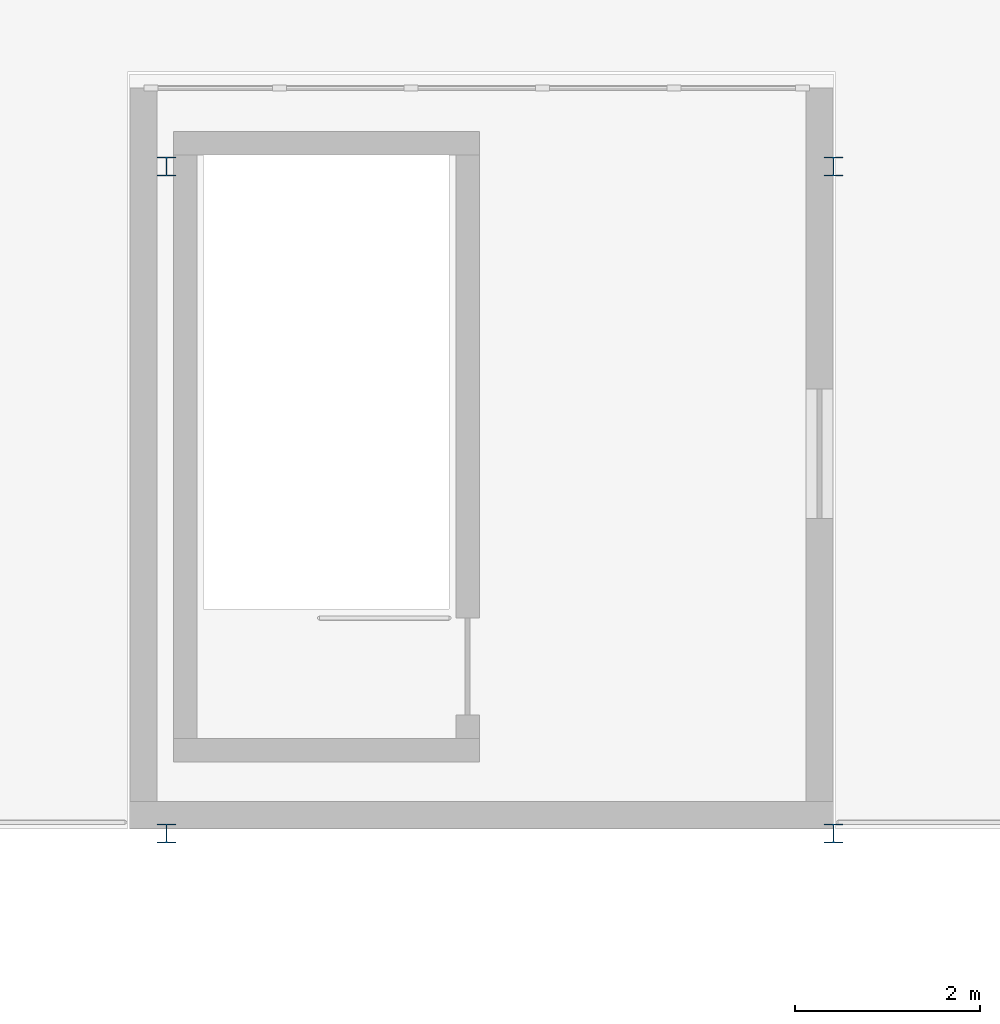
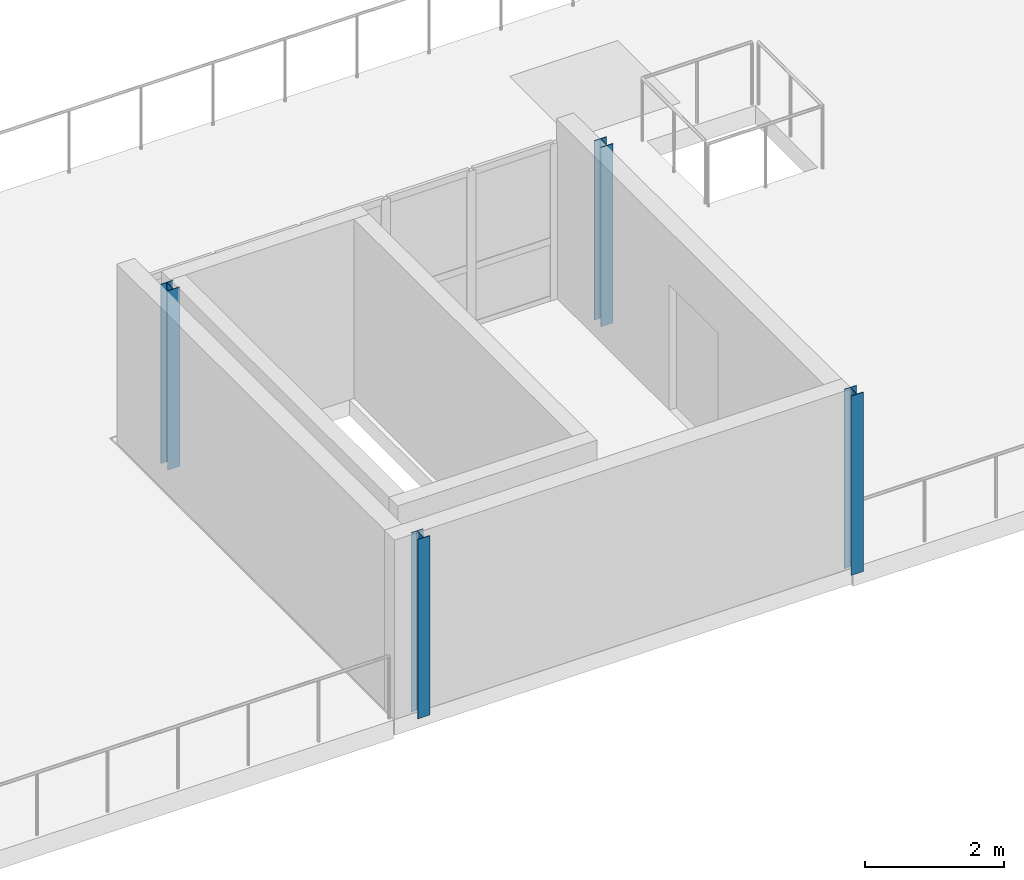
# One storey, part 4 of 64: 4 columns.
"""IFC4 building model written with IfcOpenShell, lengths in metres."""

from ifc_helpers import new_model, si_unit, direction, frame, origin, origin_2d, place, context, subcontext, project, spatial, i_section, extrude, material, material_profile, profile_set, type_object, element, save


model = new_model("IFC4")

# Units and contexts
model_context = context("Model", 3, precision=1e-05, world=origin(), true_north=direction((0.0, 1.0)))
body_context = subcontext(model_context, "Body", "Model", "MODEL_VIEW")
ifc_project = project(units=[si_unit("LENGTHUNIT", "METRE"), si_unit("AREAUNIT", "SQUARE_METRE"), si_unit("VOLUMEUNIT", "CUBIC_METRE"), si_unit("PLANEANGLEUNIT", "RADIAN"), si_unit("MASSUNIT", "GRAM", prefix="KILO")], contexts=[model_context])

# Site, building, storey
site_placement = place(None, origin())
site = spatial("IfcSite", under=ifc_project, at=site_placement, CompositionType="ELEMENT")
building_placement = place(site_placement, origin())
building = spatial("IfcBuilding", under=site, at=building_placement, Name="Ochrevale Crest", CompositionType="ELEMENT")
storey_placement = place(building_placement, frame((0.0, 0.0, 8.699951171875)))
storey = spatial("IfcBuildingStorey", under=building, at=storey_placement, Name="L02", CompositionType="ELEMENT", Elevation=8.699951171875)

# Columns
ifc_material = material(Name="Steel S355", Category="steel")
ifc_material_profile = material_profile(ifc_material, i_section(OverallWidth=0.203125, OverallDepth=0.203369140625, WebThickness=0.00732421875, FlangeThickness=0.010986328125, FilletRadius=0.01025390625, at=origin_2d()), Name="200UC46.2")
ifc_profile_set = profile_set([ifc_material_profile], Name="Steel S355")
column_type = type_object("IfcColumnType", Name="COL-UC200A", PredefinedType="COLUMN", material=ifc_profile_set)
for number, where, z_axis, x_axis, name in (
    (1, (79.199951171875, 79.199951171875, 0.0), (0.0, 0.0, 1.0), (1.0, 0.0, 0.0), "Nursery roof lobby column"),
    (2, (79.199951171875, 86.39990234375, 0.0), (0.0, 0.0, 1.0), (1.0, 0.0, 0.0), "Nursery roof lobby column"),
    (3, (86.39990234375, 79.199951171875, 0.0), (0.0, 0.0, 1.0), (1.0, 0.0, 0.0), "Nursery roof lobby column"),
    (4, (86.39990234375, 86.39990234375, 0.0), (0.0, 0.0, 1.0), (1.0, 0.0, 0.0), "Nursery roof lobby column"),
):
    element("IfcColumn", number, at=place(storey_placement, frame(where, z_axis=z_axis, x_axis=x_axis)), inside=storey, type_object=column_type, Name=name, PredefinedType="COLUMN", context=body_context, shape_type="SweptSolid", body=[
        extrude(i_section(OverallWidth=0.203125, OverallDepth=0.203369140625, WebThickness=0.00732421875, FlangeThickness=0.010986328125, FilletRadius=0.01025390625, at=origin_2d()), origin(), (0.0, 0.0, 1.0), 3.150146484375),
    ])

save(model, "model.ifc")
